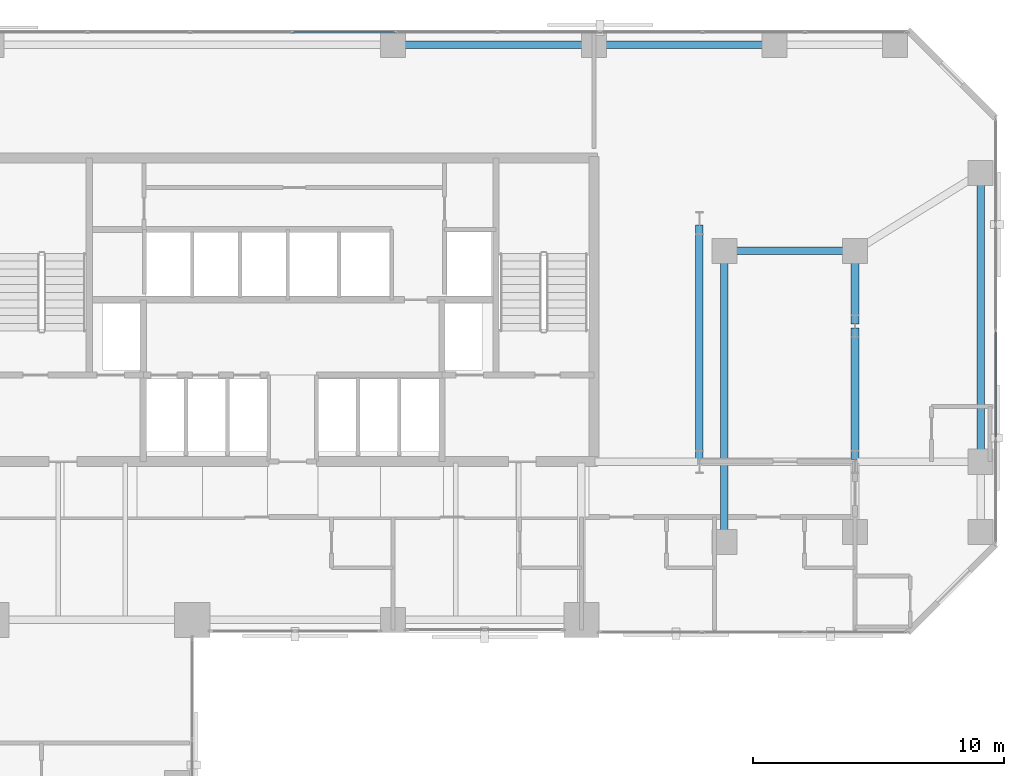
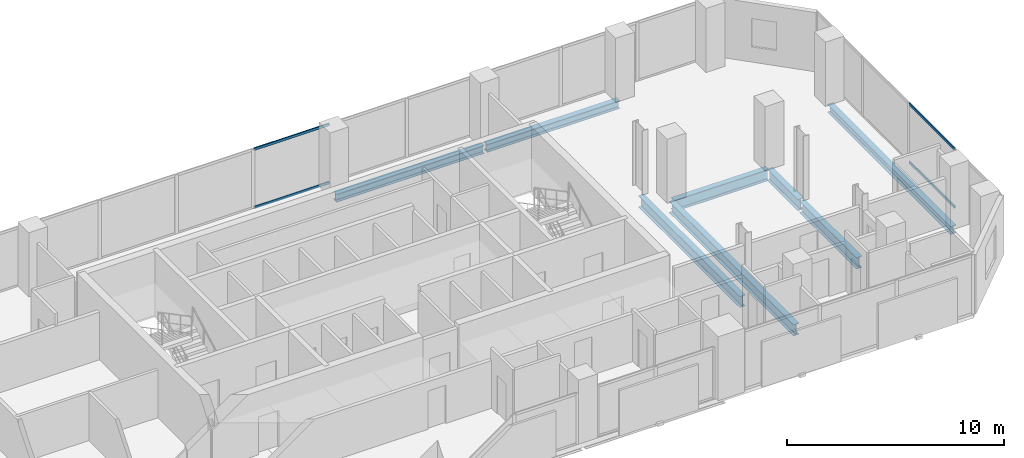
# One storey, part 22 of 32: 8 beams, 4 members, 2 elements without a shape of their own.
"""IFC4 building model written with IfcOpenShell, lengths in metres."""

from ifc_helpers import new_model, si_unit, direction, frame, origin, origin_2d, place, context, subcontext, project, spatial, hollow_rectangle, i_section, extrude, material, layer, layer_set, material_profile, profile_set, type_object, element, aggregate, save


model = new_model("IFC4")

# Units and contexts
model_context = context("Model", 3, precision=1e-05, world=origin(), true_north=direction((0.0, 1.0)))
body_context = subcontext(model_context, "Body", "Model", "MODEL_VIEW")
ifc_project = project(units=[si_unit("LENGTHUNIT", "METRE"), si_unit("AREAUNIT", "SQUARE_METRE"), si_unit("VOLUMEUNIT", "CUBIC_METRE"), si_unit("PLANEANGLEUNIT", "RADIAN"), si_unit("MASSUNIT", "GRAM", prefix="KILO")], contexts=[model_context])

# Site, building, storey
site_placement = place(None, origin())
site = spatial("IfcSite", under=ifc_project, at=site_placement, CompositionType="ELEMENT")
building_placement = place(site_placement, origin())
building = spatial("IfcBuilding", under=site, at=building_placement, Name="Catumbela Crestline Tower", CompositionType="ELEMENT")
storey_placement = place(building_placement, frame((0.0, 0.0, 33.0)))
storey = spatial("IfcBuildingStorey", under=building, at=storey_placement, Name="L07", CompositionType="ELEMENT", Elevation=33.0)

# Beams
ifc_material_1 = material(Name="Structural steel S355J2", Category="steel")
ifc_material_profile_1 = material_profile(ifc_material_1, i_section(OverallWidth=0.3, OverallDepth=0.64, WebThickness=0.0135, FlangeThickness=0.026, FilletRadius=0.027, at=origin_2d()), Name="HEA 650")
ifc_profile_set_1 = profile_set([ifc_material_profile_1], Name="Structural steel S355J2")
beam_type_1 = type_object("IfcBeamType", Name="BG-HEA650", PredefinedType="BEAM", material=ifc_profile_set_1)
beam_1_placement = place(storey_placement, frame((45.28, 39.2, -0.58), z_axis=(1.0, 0.0, 0.0), x_axis=(0.0, 1.0, 0.0)))
element("IfcBeam", 1, at=beam_1_placement, inside=storey, type_object=beam_type_1, Name="L07 Beam BM-L07-N17", PredefinedType="BEAM", context=body_context, shape_type="SweptSolid", body=[
    extrude(i_section(OverallWidth=0.3, OverallDepth=0.64, WebThickness=0.0135, FlangeThickness=0.026, FilletRadius=0.027, at=origin_2d()), origin(), (0.0, 0.0, 1.0), 5.04),
])
beam_2_placement = place(storey_placement, frame((44.2, 30.88, -0.58), z_axis=(0.0, 1.0, 0.0), x_axis=(-1.0, 0.0, 0.0)))
element("IfcBeam", 2, at=beam_2_placement, inside=storey, type_object=beam_type_1, Name="L07 Beam BM-L07-SN35", PredefinedType="BEAM", context=body_context, shape_type="SweptSolid", body=[
    extrude(i_section(OverallWidth=0.3, OverallDepth=0.64, WebThickness=0.0135, FlangeThickness=0.026, FilletRadius=0.027, at=origin_2d()), origin(), (0.0, 0.0, 1.0), 9.34),
])
beam_3_placement = place(storey_placement, frame((45.2, 27.68, -0.58), z_axis=(0.0, 1.0, 0.0), x_axis=(-1.0, 0.0, 0.0)))
element("IfcBeam", 3, at=beam_3_placement, inside=storey, type_object=beam_type_1, Name="L07 Beam BM-L07-SN36", PredefinedType="BEAM", context=body_context, shape_type="SweptSolid", body=[
    extrude(i_section(OverallWidth=0.3, OverallDepth=0.64, WebThickness=0.0135, FlangeThickness=0.026, FilletRadius=0.027, at=origin_2d()), origin(), (0.0, 0.0, 1.0), 11.44),
])
beam_4_placement = place(storey_placement, frame((50.4, 30.88, -0.58), z_axis=(0.0, 1.0, 0.0), x_axis=(-1.0, 0.0, 0.0)))
element("IfcBeam", 4, at=beam_4_placement, inside=storey, type_object=beam_type_1, Name="L07 Beam BM-L07-SN38", PredefinedType="BEAM", context=body_context, shape_type="SweptSolid", body=[
    extrude(i_section(OverallWidth=0.3, OverallDepth=0.64, WebThickness=0.0135, FlangeThickness=0.026, FilletRadius=0.027, at=origin_2d()), origin(), (0.0, 0.0, 1.0), 5.24),
])
beam_5_placement = place(storey_placement, frame((50.4, 36.28, -0.58), z_axis=(0.0, 1.0, 0.0), x_axis=(-1.0, 0.0, 0.0)))
element("IfcBeam", 5, at=beam_5_placement, inside=storey, type_object=beam_type_1, Name="L07 Beam BM-L07-SN39", PredefinedType="BEAM", context=body_context, shape_type="SweptSolid", body=[
    extrude(i_section(OverallWidth=0.3, OverallDepth=0.64, WebThickness=0.0135, FlangeThickness=0.026, FilletRadius=0.027, at=origin_2d()), origin(), (0.0, 0.0, 1.0), 2.84),
])
ifc_material_profile_2 = material_profile(ifc_material_1, i_section(OverallWidth=0.3, OverallDepth=0.45, WebThickness=0.014, FlangeThickness=0.026, FilletRadius=0.027, at=origin_2d()), Name="HEB 450")
ifc_profile_set_2 = profile_set([ifc_material_profile_2], Name="Structural steel S355J2")
beam_type_2 = type_object("IfcBeamType", Name="BS-HEB450", PredefinedType="SPANDREL", material=ifc_profile_set_2)
beam_6_placement = place(storey_placement, frame((32.08, 47.4, -0.485), z_axis=(1.0, 0.0, 0.0), x_axis=(0.0, 1.0, 0.0)))
element("IfcBeam", 6, at=beam_6_placement, inside=storey, type_object=beam_type_2, Name="L07 Spandrel SP-L07-NF22", PredefinedType="SPANDREL", context=body_context, shape_type="SweptSolid", body=[
    extrude(i_section(OverallWidth=0.3, OverallDepth=0.45, WebThickness=0.014, FlangeThickness=0.026, FilletRadius=0.027, at=origin_2d()), origin(), (0.0, 0.0, 1.0), 7.84),
])
beam_7_placement = place(storey_placement, frame((40.08, 47.4, -0.485), z_axis=(1.0, 0.0, 0.0), x_axis=(0.0, 1.0, 0.0)))
element("IfcBeam", 7, at=beam_7_placement, inside=storey, type_object=beam_type_2, Name="L07 Spandrel SP-L07-NF23", PredefinedType="SPANDREL", context=body_context, shape_type="SweptSolid", body=[
    extrude(i_section(OverallWidth=0.3, OverallDepth=0.45, WebThickness=0.014, FlangeThickness=0.026, FilletRadius=0.027, at=origin_2d()), origin(), (0.0, 0.0, 1.0), 7.04),
])
beam_8_placement = place(storey_placement, frame((55.4, 30.88, -0.485), z_axis=(0.0, 1.0, 0.0), x_axis=(-1.0, 0.0, 0.0)))
element("IfcBeam", 8, at=beam_8_placement, inside=storey, type_object=beam_type_2, Name="L07 Spandrel SP-L07-SN41", PredefinedType="SPANDREL", context=body_context, shape_type="SweptSolid", body=[
    extrude(i_section(OverallWidth=0.3, OverallDepth=0.45, WebThickness=0.014, FlangeThickness=0.026, FilletRadius=0.027, at=origin_2d()), origin(), (0.0, 0.0, 1.0), 11.34),
])

# Curtain wall, members
ifc_material_2 = material(Name="Aluminium alloy AW-6060-T66", Category="aluminium")
ifc_layer = layer(ifc_material_2, 0.18, Name="Aluminium alloy AW-6060-T66")
ifc_layer_set = layer_set([ifc_layer], Name="Aluminium alloy AW-6060-T66")
curtain_wall_type = type_object("IfcCurtainWallType", Name="CWU-Z1", PredefinedType="USERDEFINED", material=ifc_layer_set)
curtain_wall_1_placement = place(storey_placement, origin())
curtain_wall_1 = element("IfcCurtainWall", 9, at=curtain_wall_1_placement, inside=storey, type_object=curtain_wall_type, Name="L07 Unitised Curtain Wall CW-L07-E5S1", ObjectType="UNITISED", PredefinedType="USERDEFINED")
ifc_material_profile_3 = material_profile(ifc_material_2, hollow_rectangle(XDim=0.06, YDim=0.14, WallThickness=0.004, at=origin_2d()), Name="ALU 140x60x4")
ifc_profile_set_3 = profile_set([ifc_material_profile_3], Name="Aluminium alloy AW-6060-T66")
member_type = type_object("IfcMemberType", Name="TRN-140X60", PredefinedType="USERDEFINED", material=ifc_profile_set_3)
member_1_placement = place(storey_placement, frame((56.0, 31.7825, 0.03), z_axis=(0.0, 1.0, 0.0), x_axis=(-1.0, 0.0, 0.0)))
member_1 = element("IfcMember", 10, at=member_1_placement, type_object=member_type, Name="CWU-Z1 transom 2.1", ObjectType="TRANSOM", PredefinedType="USERDEFINED", context=body_context, shape_type="SweptSolid", body=[
    extrude(hollow_rectangle(XDim=0.06, YDim=0.14, WallThickness=0.004, at=origin_2d()), origin(), (0.0, 0.0, 1.0), 4.185),
])
member_2_placement = place(storey_placement, frame((56.0, 31.7825, 3.3), z_axis=(0.0, 1.0, 0.0), x_axis=(-1.0, 0.0, 0.0)))
member_2 = element("IfcMember", 11, at=member_2_placement, type_object=member_type, Name="CWU-Z1 transom 2.2", ObjectType="TRANSOM", PredefinedType="USERDEFINED", context=body_context, shape_type="SweptSolid", body=[
    extrude(hollow_rectangle(XDim=0.06, YDim=0.14, WallThickness=0.004, at=origin_2d()), origin(), (0.0, 0.0, 1.0), 4.185),
])
aggregate(curtain_wall_1, [member_1, member_2])

curtain_wall_2_placement = place(storey_placement, origin())
curtain_wall_2 = element("IfcCurtainWall", 12, at=curtain_wall_2_placement, inside=storey, type_object=curtain_wall_type, Name="L07 Unitised Curtain Wall CW-L07-E7S1", ObjectType="UNITISED", PredefinedType="USERDEFINED")
member_3_placement = place(storey_placement, frame((32.0508, 47.9, 0.03), z_axis=(-1.0, 0.0, 0.0), x_axis=(0.0, -1.0, 0.0)))
member_3 = element("IfcMember", 13, at=member_3_placement, type_object=member_type, Name="CWU-Z1 transom 6.1", ObjectType="TRANSOM", PredefinedType="USERDEFINED", context=body_context, shape_type="SweptSolid", body=[
    extrude(hollow_rectangle(XDim=0.06, YDim=0.14, WallThickness=0.004, at=origin_2d()), origin(), (0.0, 0.0, 1.0), 4.0183),
])
member_4_placement = place(storey_placement, frame((32.0508, 47.9, 3.3), z_axis=(-1.0, 0.0, 0.0), x_axis=(0.0, -1.0, 0.0)))
member_4 = element("IfcMember", 14, at=member_4_placement, type_object=member_type, Name="CWU-Z1 transom 6.2", ObjectType="TRANSOM", PredefinedType="USERDEFINED", context=body_context, shape_type="SweptSolid", body=[
    extrude(hollow_rectangle(XDim=0.06, YDim=0.14, WallThickness=0.004, at=origin_2d()), origin(), (0.0, 0.0, 1.0), 4.0183),
])
aggregate(curtain_wall_2, [member_3, member_4])

save(model, "model.ifc")
